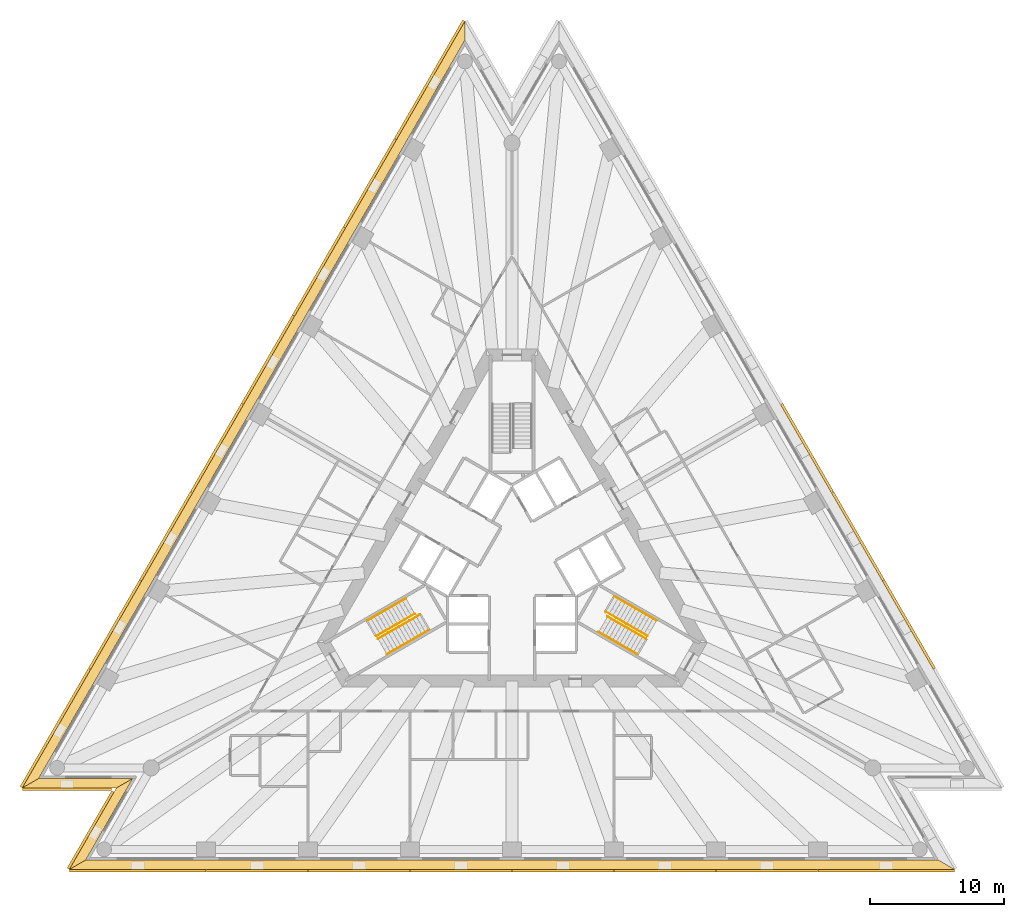
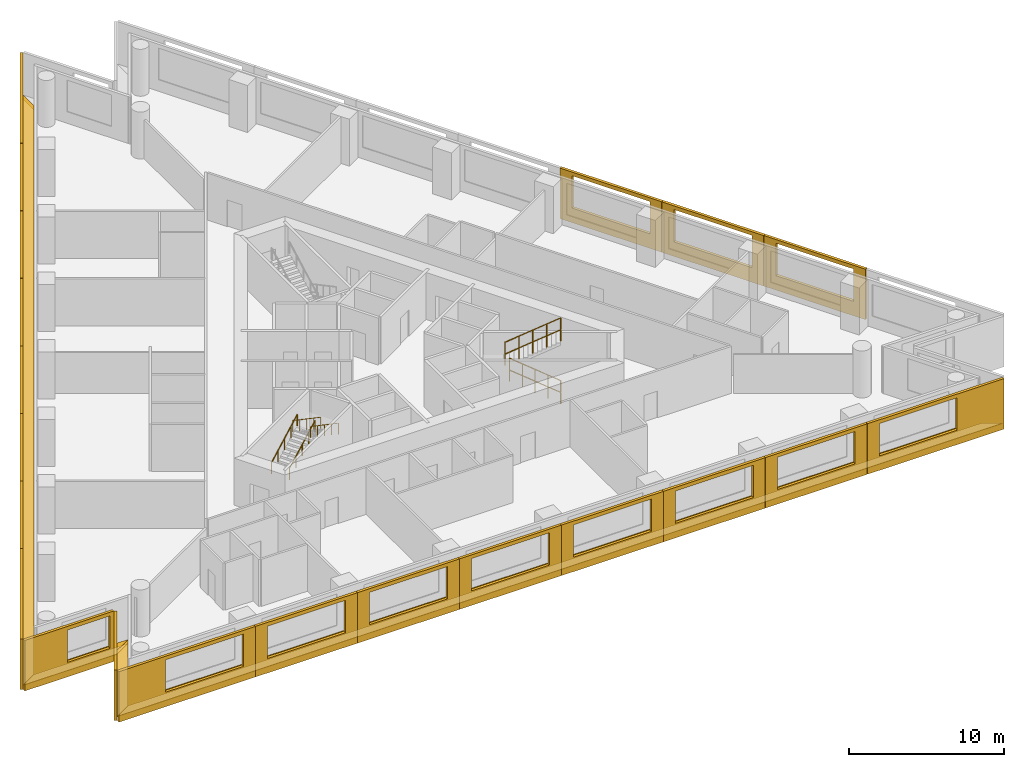
# One storey, part 10 of 11: 25 shading devices, 8 railings, 4 coverings, 2 elements without a shape of their own.
"""IFC4 building model written with IfcOpenShell, lengths in metres."""

from ifc_helpers import new_model, si_unit, direction, frame, origin, origin_2d, place, context, subcontext, project, spatial, polyline, circle, outline, extrude, material, layer, layer_set, layer_usage, type_object, element, aggregate, save


model = new_model("IFC4")

# Units and contexts
model_context = context("Model", 3, precision=1e-05, world=origin(), true_north=direction((0.0, 1.0)))
body_context = subcontext(model_context, "Body", "Model", "MODEL_VIEW")
ifc_project = project(units=[si_unit("LENGTHUNIT", "METRE"), si_unit("AREAUNIT", "SQUARE_METRE"), si_unit("VOLUMEUNIT", "CUBIC_METRE"), si_unit("PLANEANGLEUNIT", "RADIAN"), si_unit("MASSUNIT", "GRAM", prefix="KILO")], contexts=[model_context])

# Site, building, storey
site_placement = place(None, origin())
site = spatial("IfcSite", under=ifc_project, at=site_placement, CompositionType="ELEMENT")
building_placement = place(site_placement, origin())
building = spatial("IfcBuilding", under=site, at=building_placement, Name="Triada Interchange Tower", CompositionType="ELEMENT")
storey_placement = place(building_placement, frame((0.0, 0.0, 43.300048828125)))
storey = spatial("IfcBuildingStorey", under=building, at=storey_placement, Name="L08", CompositionType="ELEMENT", Elevation=43.300048828125)

# Coverings
ifc_material_1 = material(Name="Mineral fire-stop board")
ifc_layer_1 = layer(ifc_material_1, 0.0400390625, Name="Mineral fire-stop board")
ifc_material_2 = material(Name="Intumescent sealant")
ifc_layer_2 = layer(ifc_material_2, 0.010009765625, Name="Intumescent seal")
ifc_layer_set_1 = layer_set([ifc_layer_1, ifc_layer_2], Name="Cavity fire stop")
ifc_layer_usage = layer_usage(ifc_layer_set_1, "AXIS3", "POSITIVE", 0.0)
covering_type = type_object("IfcCoveringType", Name="Cavity fire stop", PredefinedType="INSULATION", material=ifc_layer_set_1)
covering_1_placement = place(storey_placement, origin())
element("IfcCovering", 1, at=covering_1_placement, inside=storey, type_object=covering_type, material=ifc_layer_usage, Name="Cavity fire stop L08 NW", PredefinedType="INSULATION", context=body_context, shape_type="SweptSolid", body=[
    extrude(outline(polyline([(-3.507080078125, 38.72509765625), (-3.507080078125, 40.125), (-36.5029296875, -17.02490234375), (-35.291015625, -16.324951171875), (-3.507080078125, 38.72509765625)])), origin(), (0.0, 0.0, 1.0), 0.050048828125),
])
covering_2_placement = place(storey_placement, origin())
element("IfcCovering", 2, at=covering_2_placement, inside=storey, type_object=covering_type, material=ifc_layer_usage, Name="Cavity fire stop L08 SW-1", PredefinedType="INSULATION", context=body_context, shape_type="SweptSolid", body=[
    extrude(outline(polyline([(-35.291015625, -16.324951171875), (-36.5029296875, -17.02490234375), (-29.488037109375, -17.02490234375), (-28.27587890625, -16.324951171875), (-35.291015625, -16.324951171875)])), origin(), (0.0, 0.0, 1.0), 0.050048828125),
])
covering_3_placement = place(storey_placement, origin())
element("IfcCovering", 3, at=covering_3_placement, inside=storey, type_object=covering_type, material=ifc_layer_usage, Name="Cavity fire stop L08 SW-2", PredefinedType="INSULATION", context=body_context, shape_type="SweptSolid", body=[
    extrude(outline(polyline([(-28.27587890625, -16.324951171875), (-29.488037109375, -17.02490234375), (-32.9951171875, -23.10009765625), (-31.782958984375, -22.39990234375), (-28.27587890625, -16.324951171875)])), origin(), (0.0, 0.0, 1.0), 0.050048828125),
])
covering_4_placement = place(storey_placement, origin())
element("IfcCovering", 4, at=covering_4_placement, inside=storey, type_object=covering_type, material=ifc_layer_usage, Name="Cavity fire stop L08 S", PredefinedType="INSULATION", context=body_context, shape_type="SweptSolid", body=[
    extrude(outline(polyline([(-31.782958984375, -22.39990234375), (-32.9951171875, -23.10009765625), (32.9951171875, -23.10009765625), (31.782958984375, -22.39990234375), (-31.782958984375, -22.39990234375)])), origin(), (0.0, 0.0, 1.0), 0.050048828125),
])

# Shading devices
ifc_material_3 = material(Name="Aluminium louvre", Category="aluminium")
shading_device_type_1 = type_object("IfcShadingDeviceType", Name="Cavity louvre grille", PredefinedType="JALOUSIE", material=ifc_material_3)
shading_device_1_placement = place(storey_placement, frame((0.0, 0.0, 0.050048828125)))
element("IfcShadingDevice", 5, at=shading_device_1_placement, inside=storey, type_object=shading_device_type_1, Name="Cavity louvre grille L08 NW", PredefinedType="JALOUSIE", context=body_context, shape_type="SweptSolid", body=[
    extrude(outline(polyline([(-3.507080078125, 38.72509765625), (-3.507080078125, 40.125), (-36.5029296875, -17.02490234375), (-35.291015625, -16.324951171875), (-3.507080078125, 38.72509765625)])), origin(), (0.0, 0.0, 1.0), 0.2998046875),
])
shading_device_2_placement = place(storey_placement, frame((0.0, 0.0, 0.050048828125)))
element("IfcShadingDevice", 6, at=shading_device_2_placement, inside=storey, type_object=shading_device_type_1, Name="Cavity louvre grille L08 SW-1", PredefinedType="JALOUSIE", context=body_context, shape_type="SweptSolid", body=[
    extrude(outline(polyline([(-35.291015625, -16.324951171875), (-36.5029296875, -17.02490234375), (-29.488037109375, -17.02490234375), (-28.27587890625, -16.324951171875), (-35.291015625, -16.324951171875)])), origin(), (0.0, 0.0, 1.0), 0.2998046875),
])
shading_device_3_placement = place(storey_placement, frame((0.0, 0.0, 0.050048828125)))
element("IfcShadingDevice", 7, at=shading_device_3_placement, inside=storey, type_object=shading_device_type_1, Name="Cavity louvre grille L08 SW-2", PredefinedType="JALOUSIE", context=body_context, shape_type="SweptSolid", body=[
    extrude(outline(polyline([(-28.27587890625, -16.324951171875), (-29.488037109375, -17.02490234375), (-32.9951171875, -23.10009765625), (-31.782958984375, -22.39990234375), (-28.27587890625, -16.324951171875)])), origin(), (0.0, 0.0, 1.0), 0.2998046875),
])
shading_device_4_placement = place(storey_placement, frame((0.0, 0.0, 0.050048828125)))
element("IfcShadingDevice", 8, at=shading_device_4_placement, inside=storey, type_object=shading_device_type_1, Name="Cavity louvre grille L08 S", PredefinedType="JALOUSIE", context=body_context, shape_type="SweptSolid", body=[
    extrude(outline(polyline([(-31.782958984375, -22.39990234375), (-32.9951171875, -23.10009765625), (32.9951171875, -23.10009765625), (31.782958984375, -22.39990234375), (-31.782958984375, -22.39990234375)])), origin(), (0.0, 0.0, 1.0), 0.2998046875),
])
ifc_material_4 = material(Name="Concrete C50/60 precast", Category="concrete")
ifc_layer_3 = layer(ifc_material_4, 0.02001953125, Name="Exposed aggregate face")
ifc_layer_4 = layer(ifc_material_4, 0.179931640625, Name="Precast concrete screen")
ifc_layer_set_2 = layer_set([ifc_layer_3, ifc_layer_4], Name="Outer skin screen panel 3980")
shading_device_type_2 = type_object("IfcShadingDeviceType", Name="Outer skin screen panel 3980", PredefinedType="SHUTTER", material=ifc_layer_set_2)
shading_device_5_placement = place(storey_placement, frame((-3.511962890625, 40.115966796875, -0.2900390625), z_axis=(0.0, 0.0, 1.0), x_axis=(-0.500026996568, -0.866009816748, 0.0)))
element("IfcShadingDevice", 9, at=shading_device_5_placement, inside=storey, type_object=shading_device_type_2, Name="Outer skin screen panel L08 01", PredefinedType="SHUTTER", context=body_context, shape_type="SweptSolid", body=[
    extrude(outline(polyline([(0.0, 0.0), (10.177734375, 0.0), (10.177734375, 3.97998046875), (0.0, 3.97998046875), (0.0, 0.0)]), holes=[polyline([(3.487548828125, 1.139892578125), (3.487548828125, 3.68994140625), (9.28759765625, 3.68994140625), (9.28759765625, 1.139892578125), (3.487548828125, 1.139892578125)])]), frame((0.0, 0.0, 0.0), z_axis=(0.0, -1.0, 0.0), x_axis=(1.0, 0.0, 0.0)), (0.0, 0.0, 1.0), 0.199951171875),
])
shading_device_6_placement = place(storey_placement, frame((-8.611083984375, 31.284912109375, -0.2900390625), z_axis=(0.0, 0.0, 1.0), x_axis=(-0.500008712905, -0.866020373328, 0.0)))
element("IfcShadingDevice", 10, at=shading_device_6_placement, inside=storey, type_object=shading_device_type_2, Name="Outer skin screen panel L08 02", PredefinedType="SHUTTER", context=body_context, shape_type="SweptSolid", body=[
    extrude(outline(polyline([(0.0, 0.0), (7.579345703125, 0.0), (7.579345703125, 3.97998046875), (0.0, 3.97998046875), (0.0, 0.0)]), holes=[polyline([(0.89013671875, 1.139892578125), (0.89013671875, 3.68994140625), (6.690185546875, 3.68994140625), (6.690185546875, 1.139892578125), (0.89013671875, 1.139892578125)])]), frame((0.0, 0.0, 0.0), z_axis=(0.0, -1.0, 0.0), x_axis=(1.0, 0.0, 0.0)), (0.0, 0.0, 1.0), 0.199951171875),
])
shading_device_7_placement = place(storey_placement, frame((-12.410888671875, 24.7041015625, -0.2900390625), z_axis=(0.0, 0.0, 1.0), x_axis=(-0.499922287265, -0.866070266604, 0.0)))
element("IfcShadingDevice", 11, at=shading_device_7_placement, inside=storey, type_object=shading_device_type_2, Name="Outer skin screen panel L08 03", PredefinedType="SHUTTER", context=body_context, shape_type="SweptSolid", body=[
    extrude(outline(polyline([(0.0, 0.0), (7.579345703125, 0.0), (7.579345703125, 3.97998046875), (0.0, 3.97998046875), (0.0, 0.0)]), holes=[polyline([(0.8896484375, 1.139892578125), (0.8896484375, 3.68994140625), (6.689697265625, 3.68994140625), (6.689697265625, 1.139892578125), (0.8896484375, 1.139892578125)])]), frame((0.0, 0.0, 0.0), z_axis=(0.0, -1.0, 0.0), x_axis=(1.0, 0.0, 0.0)), (0.0, 0.0, 1.0), 0.199951171875),
])
shading_device_8_placement = place(storey_placement, frame((-16.2099609375, 18.123046875, -0.2900390625), z_axis=(0.0, 0.0, 1.0), x_axis=(-0.500032870163, -0.866006425355, 0.0)))
element("IfcShadingDevice", 12, at=shading_device_8_placement, inside=storey, type_object=shading_device_type_2, Name="Outer skin screen panel L08 04", PredefinedType="SHUTTER", context=body_context, shape_type="SweptSolid", body=[
    extrude(outline(polyline([(0.0, 0.0), (7.57958984375, 0.0), (7.57958984375, 3.97998046875), (0.0, 3.97998046875), (0.0, 0.0)]), holes=[polyline([(0.889404296875, 1.139892578125), (0.889404296875, 3.68994140625), (6.689208984375, 3.68994140625), (6.689208984375, 1.139892578125), (0.889404296875, 1.139892578125)])]), frame((0.0, 0.0, 0.0), z_axis=(0.0, -1.0, 0.0), x_axis=(1.0, 0.0, 0.0)), (0.0, 0.0, 1.0), 0.199951171875),
])
shading_device_9_placement = place(storey_placement, frame((-20.010009765625, 11.541015625, -0.2900390625), z_axis=(0.0, 0.0, 1.0), x_axis=(-0.500032870163, -0.866006425355, 0.0)))
element("IfcShadingDevice", 13, at=shading_device_9_placement, inside=storey, type_object=shading_device_type_2, Name="Outer skin screen panel L08 05", PredefinedType="SHUTTER", context=body_context, shape_type="SweptSolid", body=[
    extrude(outline(polyline([(0.0, 0.0), (7.57958984375, 0.0), (7.57958984375, 3.97998046875), (0.0, 3.97998046875), (0.0, 0.0)]), holes=[polyline([(0.889892578125, 1.139892578125), (0.889892578125, 3.68994140625), (6.68994140625, 3.68994140625), (6.68994140625, 1.139892578125), (0.889892578125, 1.139892578125)])]), frame((0.0, 0.0, 0.0), z_axis=(0.0, -1.0, 0.0), x_axis=(1.0, 0.0, 0.0)), (0.0, 0.0, 1.0), 0.199951171875),
])
shading_device_10_placement = place(storey_placement, frame((-23.81005859375, 4.9599609375, -0.2900390625), z_axis=(0.0, 0.0, 1.0), x_axis=(-0.500032870163, -0.866006425355, 0.0)))
element("IfcShadingDevice", 14, at=shading_device_10_placement, inside=storey, type_object=shading_device_type_2, Name="Outer skin screen panel L08 06", PredefinedType="SHUTTER", context=body_context, shape_type="SweptSolid", body=[
    extrude(outline(polyline([(0.0, 0.0), (7.57958984375, 0.0), (7.57958984375, 3.97998046875), (0.0, 3.97998046875), (0.0, 0.0)]), holes=[polyline([(0.889404296875, 1.139892578125), (0.889404296875, 3.68994140625), (6.689453125, 3.68994140625), (6.689453125, 1.139892578125), (0.889404296875, 1.139892578125)])]), frame((0.0, 0.0, 0.0), z_axis=(0.0, -1.0, 0.0), x_axis=(1.0, 0.0, 0.0)), (0.0, 0.0, 1.0), 0.199951171875),
])
shading_device_11_placement = place(storey_placement, frame((-27.610107421875, -1.62109375, -0.2900390625), z_axis=(0.0, 0.0, 1.0), x_axis=(-0.4999120722, -0.866076162972, 0.0)))
element("IfcShadingDevice", 15, at=shading_device_11_placement, inside=storey, type_object=shading_device_type_2, Name="Outer skin screen panel L08 07", PredefinedType="SHUTTER", context=body_context, shape_type="SweptSolid", body=[
    extrude(outline(polyline([(0.0, 0.0), (7.578857421875, 0.0), (7.578857421875, 3.97998046875), (0.0, 3.97998046875), (0.0, 0.0)]), holes=[polyline([(0.89013671875, 1.139892578125), (0.89013671875, 3.68994140625), (6.690185546875, 3.68994140625), (6.690185546875, 1.139892578125), (0.89013671875, 1.139892578125)])]), frame((0.0, 0.0, 0.0), z_axis=(0.0, -1.0, 0.0), x_axis=(1.0, 0.0, 0.0)), (0.0, 0.0, 1.0), 0.199951171875),
])
shading_device_12_placement = place(storey_placement, frame((-31.408935546875, -8.201904296875, -0.2900390625), z_axis=(0.0, 0.0, 1.0), x_axis=(-0.500016609325, -0.866015814174, 0.0)))
element("IfcShadingDevice", 16, at=shading_device_12_placement, inside=storey, type_object=shading_device_type_2, Name="Outer skin screen panel L08 08", PredefinedType="SHUTTER", context=body_context, shape_type="SweptSolid", body=[
    extrude(outline(polyline([(0.0, 0.0), (10.177978515625, 0.0), (10.177978515625, 3.97998046875), (0.0, 3.97998046875), (0.0, 0.0)]), holes=[polyline([(0.8896484375, 1.139892578125), (0.8896484375, 3.68994140625), (6.689697265625, 3.68994140625), (6.689697265625, 1.139892578125), (0.8896484375, 1.139892578125)])]), frame((0.0, 0.0, 0.0), z_axis=(0.0, -1.0, 0.0), x_axis=(1.0, 0.0, 0.0)), (0.0, 0.0, 1.0), 0.199951171875),
])
shading_device_13_placement = place(storey_placement, frame((-36.492919921875, -17.02490234375, -0.2900390625), z_axis=(0.0, 0.0, 1.0), x_axis=(1.0, 0.0, 0.0)))
element("IfcShadingDevice", 17, at=shading_device_13_placement, inside=storey, type_object=shading_device_type_2, Name="Outer skin screen panel L08 09", PredefinedType="SHUTTER", context=body_context, shape_type="SweptSolid", body=[
    extrude(outline(polyline([(0.0, 0.0), (6.64794921875, 0.0), (6.64794921875, 3.97998046875), (0.0, 3.97998046875), (0.0, 0.0)]), holes=[polyline([(3.175048828125, 1.139892578125), (3.175048828125, 3.68994140625), (6.347900390625, 3.68994140625), (6.347900390625, 1.139892578125), (3.175048828125, 1.139892578125)])]), frame((0.0, 0.0, 0.0), z_axis=(0.0, -1.0, 0.0), x_axis=(1.0, 0.0, 0.0)), (0.0, 0.0, 1.0), 0.199951171875),
])
shading_device_14_placement = place(storey_placement, frame((-29.666015625, -17.333984375, -0.2900390625), z_axis=(0.0, 0.0, 1.0), x_axis=(-0.50001386285, -0.866017399916, 0.0)))
element("IfcShadingDevice", 18, at=shading_device_14_placement, inside=storey, type_object=shading_device_type_2, Name="Outer skin screen panel L08 10", PredefinedType="SHUTTER", context=body_context, shape_type="SweptSolid", body=[
    extrude(outline(polyline([(0.0, 0.0), (6.647705078125, 0.0), (6.647705078125, 3.97998046875), (0.0, 3.97998046875), (0.0, 0.0)]), holes=[polyline([(0.300048828125, 1.139892578125), (0.300048828125, 3.68994140625), (2.9580078125, 3.68994140625), (2.9580078125, 1.139892578125), (0.300048828125, 1.139892578125)])]), frame((0.0, 0.0, 0.0), z_axis=(0.0, -1.0, 0.0), x_axis=(1.0, 0.0, 0.0)), (0.0, 0.0, 1.0), 0.199951171875),
])
shading_device_15_placement = place(storey_placement, frame((-32.985107421875, -23.10009765625, -0.2900390625), z_axis=(0.0, 0.0, 1.0), x_axis=(1.0, 0.0, 0.0)))
element("IfcShadingDevice", 19, at=shading_device_15_placement, inside=storey, type_object=shading_device_type_2, Name="Outer skin screen panel L08 11", PredefinedType="SHUTTER", context=body_context, shape_type="SweptSolid", body=[
    extrude(outline(polyline([(0.0, 0.0), (10.177001953125, 0.0), (10.177001953125, 3.97998046875), (0.0, 3.97998046875), (0.0, 0.0)]), holes=[polyline([(3.488037109375, 1.139892578125), (3.488037109375, 3.68994140625), (9.2880859375, 3.68994140625), (9.2880859375, 1.139892578125), (3.488037109375, 1.139892578125)])]), frame((0.0, 0.0, 0.0), z_axis=(0.0, -1.0, 0.0), x_axis=(1.0, 0.0, 0.0)), (0.0, 0.0, 1.0), 0.199951171875),
])
shading_device_16_placement = place(storey_placement, frame((-22.7880859375, -23.10009765625, -0.2900390625), z_axis=(0.0, 0.0, 1.0), x_axis=(1.0, 0.0, 0.0)))
element("IfcShadingDevice", 20, at=shading_device_16_placement, inside=storey, type_object=shading_device_type_2, Name="Outer skin screen panel L08 12", PredefinedType="SHUTTER", context=body_context, shape_type="SweptSolid", body=[
    extrude(outline(polyline([(0.0, 0.0), (7.580078125, 0.0), (7.580078125, 3.97998046875), (0.0, 3.97998046875), (0.0, 0.0)]), holes=[polyline([(0.889892578125, 1.139892578125), (0.889892578125, 3.68994140625), (6.689697265625, 3.68994140625), (6.689697265625, 1.139892578125), (0.889892578125, 1.139892578125)])]), frame((0.0, 0.0, 0.0), z_axis=(0.0, -1.0, 0.0), x_axis=(1.0, 0.0, 0.0)), (0.0, 0.0, 1.0), 0.199951171875),
])
shading_device_17_placement = place(storey_placement, frame((-15.18798828125, -23.10009765625, -0.2900390625), z_axis=(0.0, 0.0, 1.0), x_axis=(1.0, 0.0, 0.0)))
element("IfcShadingDevice", 21, at=shading_device_17_placement, inside=storey, type_object=shading_device_type_2, Name="Outer skin screen panel L08 13", PredefinedType="SHUTTER", context=body_context, shape_type="SweptSolid", body=[
    extrude(outline(polyline([(0.0, 0.0), (7.5791015625, 0.0), (7.5791015625, 3.97998046875), (0.0, 3.97998046875), (0.0, 0.0)]), holes=[polyline([(0.889404296875, 1.139892578125), (0.889404296875, 3.68994140625), (6.689453125, 3.68994140625), (6.689453125, 1.139892578125), (0.889404296875, 1.139892578125)])]), frame((0.0, 0.0, 0.0), z_axis=(0.0, -1.0, 0.0), x_axis=(1.0, 0.0, 0.0)), (0.0, 0.0, 1.0), 0.199951171875),
])
shading_device_18_placement = place(storey_placement, frame((-7.589111328125, -23.10009765625, -0.2900390625), z_axis=(0.0, 0.0, 1.0), x_axis=(1.0, 0.0, 0.0)))
element("IfcShadingDevice", 22, at=shading_device_18_placement, inside=storey, type_object=shading_device_type_2, Name="Outer skin screen panel L08 14", PredefinedType="SHUTTER", context=body_context, shape_type="SweptSolid", body=[
    extrude(outline(polyline([(0.0, 0.0), (7.5791015625, 0.0), (7.5791015625, 3.97998046875), (0.0, 3.97998046875), (0.0, 0.0)]), holes=[polyline([(0.88916015625, 1.139892578125), (0.88916015625, 3.68994140625), (6.689208984375, 3.68994140625), (6.689208984375, 1.139892578125), (0.88916015625, 1.139892578125)])]), frame((0.0, 0.0, 0.0), z_axis=(0.0, -1.0, 0.0), x_axis=(1.0, 0.0, 0.0)), (0.0, 0.0, 1.0), 0.199951171875),
])
shading_device_19_placement = place(storey_placement, frame((0.010009765625, -23.10009765625, -0.2900390625), z_axis=(0.0, 0.0, 1.0), x_axis=(1.0, 0.0, 0.0)))
element("IfcShadingDevice", 23, at=shading_device_19_placement, inside=storey, type_object=shading_device_type_2, Name="Outer skin screen panel L08 15", PredefinedType="SHUTTER", context=body_context, shape_type="SweptSolid", body=[
    extrude(outline(polyline([(0.0, 0.0), (7.5791015625, 0.0), (7.5791015625, 3.97998046875), (0.0, 3.97998046875), (0.0, 0.0)]), holes=[polyline([(0.889892578125, 1.139892578125), (0.889892578125, 3.68994140625), (6.68994140625, 3.68994140625), (6.68994140625, 1.139892578125), (0.889892578125, 1.139892578125)])]), frame((0.0, 0.0, 0.0), z_axis=(0.0, -1.0, 0.0), x_axis=(1.0, 0.0, 0.0)), (0.0, 0.0, 1.0), 0.199951171875),
])
shading_device_20_placement = place(storey_placement, frame((7.60888671875, -23.10009765625, -0.2900390625), z_axis=(0.0, 0.0, 1.0), x_axis=(1.0, 0.0, 0.0)))
element("IfcShadingDevice", 24, at=shading_device_20_placement, inside=storey, type_object=shading_device_type_2, Name="Outer skin screen panel L08 16", PredefinedType="SHUTTER", context=body_context, shape_type="SweptSolid", body=[
    extrude(outline(polyline([(0.0, 0.0), (7.580078125, 0.0), (7.580078125, 3.97998046875), (0.0, 3.97998046875), (0.0, 0.0)]), holes=[polyline([(0.8896484375, 1.139892578125), (0.8896484375, 3.68994140625), (6.689697265625, 3.68994140625), (6.689697265625, 1.139892578125), (0.8896484375, 1.139892578125)])]), frame((0.0, 0.0, 0.0), z_axis=(0.0, -1.0, 0.0), x_axis=(1.0, 0.0, 0.0)), (0.0, 0.0, 1.0), 0.199951171875),
])
shading_device_21_placement = place(storey_placement, frame((15.2080078125, -23.10009765625, -0.2900390625), z_axis=(0.0, 0.0, 1.0), x_axis=(1.0, 0.0, 0.0)))
element("IfcShadingDevice", 25, at=shading_device_21_placement, inside=storey, type_object=shading_device_type_2, Name="Outer skin screen panel L08 17", PredefinedType="SHUTTER", context=body_context, shape_type="SweptSolid", body=[
    extrude(outline(polyline([(0.0, 0.0), (7.580078125, 0.0), (7.580078125, 3.97998046875), (0.0, 3.97998046875), (0.0, 0.0)]), holes=[polyline([(0.889404296875, 1.139892578125), (0.889404296875, 3.68994140625), (6.689453125, 3.68994140625), (6.689453125, 1.139892578125), (0.889404296875, 1.139892578125)])]), frame((0.0, 0.0, 0.0), z_axis=(0.0, -1.0, 0.0), x_axis=(1.0, 0.0, 0.0)), (0.0, 0.0, 1.0), 0.199951171875),
])
shading_device_22_placement = place(storey_placement, frame((22.80810546875, -23.10009765625, -0.2900390625), z_axis=(0.0, 0.0, 1.0), x_axis=(1.0, 0.0, 0.0)))
element("IfcShadingDevice", 26, at=shading_device_22_placement, inside=storey, type_object=shading_device_type_2, Name="Outer skin screen panel L08 18", PredefinedType="SHUTTER", context=body_context, shape_type="SweptSolid", body=[
    extrude(outline(polyline([(0.0, 0.0), (10.177001953125, 0.0), (10.177001953125, 3.97998046875), (0.0, 3.97998046875), (0.0, 0.0)]), holes=[polyline([(0.889404296875, 1.139892578125), (0.889404296875, 3.68994140625), (6.689208984375, 3.68994140625), (6.689208984375, 1.139892578125), (0.889404296875, 1.139892578125)])]), frame((0.0, 0.0, 0.0), z_axis=(0.0, -1.0, 0.0), x_axis=(1.0, 0.0, 0.0)), (0.0, 0.0, 1.0), 0.199951171875),
])
shading_device_23_placement = place(storey_placement, frame((31.39892578125, -8.18505859375, -0.2900390625), z_axis=(0.0, 0.0, 1.0), x_axis=(-0.4999120722, 0.866076162972, 0.0)))
element("IfcShadingDevice", 27, at=shading_device_23_placement, inside=storey, type_object=shading_device_type_2, Name="Outer skin screen panel L08 22", PredefinedType="SHUTTER", context=body_context, shape_type="SweptSolid", body=[
    extrude(outline(polyline([(0.0, 0.0), (7.578857421875, 0.0), (7.578857421875, 3.97998046875), (0.0, 3.97998046875), (0.0, 0.0)]), holes=[polyline([(0.889892578125, 1.139892578125), (0.889892578125, 3.68994140625), (6.689697265625, 3.68994140625), (6.689697265625, 1.139892578125), (0.889892578125, 1.139892578125)])]), frame((0.0, 0.0, 0.0), z_axis=(0.0, -1.0, 0.0), x_axis=(1.0, 0.0, 0.0)), (0.0, 0.0, 1.0), 0.199951171875),
])
shading_device_24_placement = place(storey_placement, frame((27.60009765625, -1.60400390625, -0.2900390625), z_axis=(0.0, 0.0, 1.0), x_axis=(-0.500032870163, 0.866006425355, 0.0)))
element("IfcShadingDevice", 28, at=shading_device_24_placement, inside=storey, type_object=shading_device_type_2, Name="Outer skin screen panel L08 23", PredefinedType="SHUTTER", context=body_context, shape_type="SweptSolid", body=[
    extrude(outline(polyline([(0.0, 0.0), (7.57958984375, 0.0), (7.57958984375, 3.97998046875), (0.0, 3.97998046875), (0.0, 0.0)]), holes=[polyline([(0.889404296875, 1.139892578125), (0.889404296875, 3.68994140625), (6.689453125, 3.68994140625), (6.689453125, 1.139892578125), (0.889404296875, 1.139892578125)])]), frame((0.0, 0.0, 0.0), z_axis=(0.0, -1.0, 0.0), x_axis=(1.0, 0.0, 0.0)), (0.0, 0.0, 1.0), 0.199951171875),
])
shading_device_25_placement = place(storey_placement, frame((23.800048828125, 4.97705078125, -0.2900390625), z_axis=(0.0, 0.0, 1.0), x_axis=(-0.500032870163, 0.866006425355, 0.0)))
element("IfcShadingDevice", 29, at=shading_device_25_placement, inside=storey, type_object=shading_device_type_2, Name="Outer skin screen panel L08 24", PredefinedType="SHUTTER", context=body_context, shape_type="SweptSolid", body=[
    extrude(outline(polyline([(0.0, 0.0), (7.57958984375, 0.0), (7.57958984375, 3.97998046875), (0.0, 3.97998046875), (0.0, 0.0)]), holes=[polyline([(0.889892578125, 1.139892578125), (0.889892578125, 3.68994140625), (6.68994140625, 3.68994140625), (6.68994140625, 1.139892578125), (0.889892578125, 1.139892578125)])]), frame((0.0, 0.0, 0.0), z_axis=(0.0, -1.0, 0.0), x_axis=(1.0, 0.0, 0.0)), (0.0, 0.0, 1.0), 0.199951171875),
])

# Stair, railings
ifc_material_5 = material(Name="Concrete C35/45", Category="concrete")
stair_type = type_object("IfcStairType", Name="HALF TURN STAIR 1400", PredefinedType="HALF_TURN_STAIR", material=ifc_material_5)
stair_1_placement = place(storey_placement, origin())
stair_1 = element("IfcStair", 30, at=stair_1_placement, inside=storey, type_object=stair_type, Name="Exit stair S06-2", PredefinedType="HALF_TURN_STAIR")
ifc_material_6 = material(Name="Stainless steel 1.4301", Category="steel")
railing_type = type_object("IfcRailingType", Name="STAIR HANDRAIL 900", PredefinedType="HANDRAIL", material=ifc_material_6)
railing_1_placement = place(storey_placement, frame((-10.77099609375, -4.5439453125, 0.159912109375)))
railing_1 = element("IfcRailing", 31, at=railing_1_placement, type_object=railing_type, Name="Handrail S06-2 1W", PredefinedType="HANDRAIL", context=body_context, shape_type="SweptSolid", body=[
    extrude(circle(Radius=0.02392578125, at=origin_2d()), frame((0.0, 0.0, 0.8759765625), z_axis=(0.764150854273, 0.441152526326, 0.470593158077), x_axis=(-0.499974350878, 0.866040211805, 0.0)), (0.0, 0.0, 1.0), 3.739990234375),
    extrude(circle(Radius=0.02099609375, at=origin_2d()), origin(), (0.0, 0.0, 1.0), 0.851806640625),
    extrude(circle(Radius=0.02099609375, at=origin_2d()), frame((0.71435546875, 0.41259765625, 0.43994140625)), (0.0, 0.0, 1.0), 0.851806640625),
    extrude(circle(Radius=0.02099609375, at=origin_2d()), frame((1.428955078125, 0.824951171875, 0.8798828125)), (0.0, 0.0, 1.0), 0.851806640625),
    extrude(circle(Radius=0.02099609375, at=origin_2d()), frame((2.1435546875, 1.2373046875, 1.320068359375)), (0.0, 0.0, 1.0), 0.851806640625),
    extrude(circle(Radius=0.02099609375, at=origin_2d()), frame((2.85791015625, 1.64990234375, 1.760009765625)), (0.0, 0.0, 1.0), 0.851806640625),
])
railing_2_placement = place(storey_placement, frame((-10.10595703125, -5.696044921875, 0.159912109375)))
railing_2 = element("IfcRailing", 32, at=railing_2_placement, type_object=railing_type, Name="Handrail S06-2 1C", PredefinedType="HANDRAIL", context=body_context, shape_type="SweptSolid", body=[
    extrude(circle(Radius=0.02392578125, at=origin_2d()), frame((0.0, 0.0, 0.8759765625), z_axis=(0.76412884773, 0.441205098395, 0.470579605611), x_axis=(-0.50002983664, 0.866008176907, 0.0)), (0.0, 0.0, 1.0), 3.739990234375),
    extrude(circle(Radius=0.02099609375, at=origin_2d()), origin(), (0.0, 0.0, 1.0), 0.851806640625),
    extrude(circle(Radius=0.02099609375, at=origin_2d()), frame((0.71435546875, 0.41259765625, 0.43994140625)), (0.0, 0.0, 1.0), 0.851806640625),
    extrude(circle(Radius=0.02099609375, at=origin_2d()), frame((1.428955078125, 0.8251953125, 0.8798828125)), (0.0, 0.0, 1.0), 0.851806640625),
    extrude(circle(Radius=0.02099609375, at=origin_2d()), frame((2.1435546875, 1.237548828125, 1.320068359375)), (0.0, 0.0, 1.0), 0.851806640625),
    extrude(circle(Radius=0.02099609375, at=origin_2d()), frame((2.85791015625, 1.650146484375, 1.760009765625)), (0.0, 0.0, 1.0), 0.851806640625),
])
railing_3_placement = place(storey_placement, frame((-6.202880859375, -5.256103515625, 2.079833984375)))
railing_3 = element("IfcRailing", 33, at=railing_3_placement, type_object=railing_type, Name="Handrail S06-2 2W", PredefinedType="HANDRAIL", context=body_context, shape_type="SweptSolid", body=[
    extrude(circle(Radius=0.02392578125, at=origin_2d()), frame((0.0, 0.0, 0.8759765625), z_axis=(-0.764189758314, -0.441090424232, 0.470588196769), x_axis=(0.499902469156, -0.866081705922, 0.0)), (0.0, 0.0, 1.0), 4.080322265625),
    extrude(circle(Radius=0.02099609375, at=origin_2d()), origin(), (0.0, 0.0, 1.0), 0.851806640625),
    extrude(circle(Radius=0.02099609375, at=origin_2d()), frame((-0.779541015625, -0.449951171875, 0.47998046875)), (0.0, 0.0, 1.0), 0.851806640625),
    extrude(circle(Radius=0.02099609375, at=origin_2d()), frame((-1.55908203125, -0.89990234375, 0.9599609375)), (0.0, 0.0, 1.0), 0.851806640625),
    extrude(circle(Radius=0.02099609375, at=origin_2d()), frame((-2.338623046875, -1.349853515625, 1.440185546875)), (0.0, 0.0, 1.0), 0.851806640625),
    extrude(circle(Radius=0.02099609375, at=origin_2d()), frame((-3.1181640625, -1.7998046875, 1.920166015625)), (0.0, 0.0, 1.0), 0.851806640625),
])
railing_4_placement = place(storey_placement, frame((-6.867919921875, -4.10400390625, 2.079833984375)))
railing_4 = element("IfcRailing", 34, at=railing_4_placement, type_object=railing_type, Name="Handrail S06-2 2C", PredefinedType="HANDRAIL", context=body_context, shape_type="SweptSolid", body=[
    extrude(circle(Radius=0.02392578125, at=origin_2d()), frame((0.0, 0.0, 0.8759765625), z_axis=(-0.764169589359, -0.441138614339, 0.470575776723), x_axis=(0.49995333141, -0.866052346231, 0.0)), (0.0, 0.0, 1.0), 4.08056640625),
    extrude(circle(Radius=0.02099609375, at=origin_2d()), origin(), (0.0, 0.0, 1.0), 0.851806640625),
    extrude(circle(Radius=0.02099609375, at=origin_2d()), frame((-0.779541015625, -0.449951171875, 0.47998046875)), (0.0, 0.0, 1.0), 0.851806640625),
    extrude(circle(Radius=0.02099609375, at=origin_2d()), frame((-1.55908203125, -0.89990234375, 0.9599609375)), (0.0, 0.0, 1.0), 0.851806640625),
    extrude(circle(Radius=0.02099609375, at=origin_2d()), frame((-2.338623046875, -1.35009765625, 1.440185546875)), (0.0, 0.0, 1.0), 0.851806640625),
    extrude(circle(Radius=0.02099609375, at=origin_2d()), frame((-3.1181640625, -1.800048828125, 1.920166015625)), (0.0, 0.0, 1.0), 0.851806640625),
])
aggregate(stair_1, [railing_1, railing_2, railing_3, railing_4])

stair_2_placement = place(storey_placement, origin())
stair_2 = element("IfcStair", 35, at=stair_2_placement, inside=storey, type_object=stair_type, Name="Exit stair S06-3", PredefinedType="HALF_TURN_STAIR")
railing_5_placement = place(storey_placement, frame((9.321044921875, -7.055908203125, 0.159912109375)))
railing_5 = element("IfcRailing", 36, at=railing_5_placement, type_object=railing_type, Name="Handrail S06-3 1W", PredefinedType="HANDRAIL", context=body_context, shape_type="SweptSolid", body=[
    extrude(circle(Radius=0.02392578125, at=origin_2d()), frame((0.0, 0.0, 0.8759765625), z_axis=(-0.764178012919, 0.441130521168, 0.470569684388), x_axis=(-0.499942318283, -0.866058703778, 0.0)), (0.0, 0.0, 1.0), 3.740234375),
    extrude(circle(Radius=0.02099609375, at=origin_2d()), origin(), (0.0, 0.0, 1.0), 0.851806640625),
    extrude(circle(Radius=0.02099609375, at=origin_2d()), frame((-0.714599609375, 0.41259765625, 0.43994140625)), (0.0, 0.0, 1.0), 0.851806640625),
    extrude(circle(Radius=0.02099609375, at=origin_2d()), frame((-1.42919921875, 0.824951171875, 0.8798828125)), (0.0, 0.0, 1.0), 0.851806640625),
    extrude(circle(Radius=0.02099609375, at=origin_2d()), frame((-2.1435546875, 1.2373046875, 1.320068359375)), (0.0, 0.0, 1.0), 0.851806640625),
    extrude(circle(Radius=0.02099609375, at=origin_2d()), frame((-2.858154296875, 1.64990234375, 1.760009765625)), (0.0, 0.0, 1.0), 0.851806640625),
])
railing_6_placement = place(storey_placement, frame((9.986083984375, -5.904052734375, 0.159912109375)))
railing_6 = element("IfcRailing", 37, at=railing_6_placement, type_object=railing_type, Name="Handrail S06-3 1C", PredefinedType="HANDRAIL", context=body_context, shape_type="SweptSolid", body=[
    extrude(circle(Radius=0.02392578125, at=origin_2d()), frame((0.0, 0.0, 0.8759765625), z_axis=(-0.764156007789, 0.441183091881, 0.47055613395), x_axis=(-0.49999780286, -0.8660266723, 0.0)), (0.0, 0.0, 1.0), 3.740234375),
    extrude(circle(Radius=0.02099609375, at=origin_2d()), origin(), (0.0, 0.0, 1.0), 0.851806640625),
    extrude(circle(Radius=0.02099609375, at=origin_2d()), frame((-0.714599609375, 0.41259765625, 0.43994140625)), (0.0, 0.0, 1.0), 0.851806640625),
    extrude(circle(Radius=0.02099609375, at=origin_2d()), frame((-1.42919921875, 0.8251953125, 0.8798828125)), (0.0, 0.0, 1.0), 0.851806640625),
    extrude(circle(Radius=0.02099609375, at=origin_2d()), frame((-2.1435546875, 1.237548828125, 1.320068359375)), (0.0, 0.0, 1.0), 0.851806640625),
    extrude(circle(Radius=0.02099609375, at=origin_2d()), frame((-2.858154296875, 1.650146484375, 1.760009765625)), (0.0, 0.0, 1.0), 0.851806640625),
])
railing_7_placement = place(storey_placement, frame((7.653076171875, -2.743896484375, 2.079833984375)))
railing_7 = element("IfcRailing", 38, at=railing_7_placement, type_object=railing_type, Name="Handrail S06-3 2W", PredefinedType="HANDRAIL", context=body_context, shape_type="SweptSolid", body=[
    extrude(circle(Radius=0.02392578125, at=origin_2d()), frame((0.0, 0.0, 0.8759765625), z_axis=(0.76414469501, -0.441158784458, 0.470597292793), x_axis=(0.499982693035, 0.866035395735, 0.0)), (0.0, 0.0, 1.0), 4.080322265625),
    extrude(circle(Radius=0.02099609375, at=origin_2d()), origin(), (0.0, 0.0, 1.0), 0.851806640625),
    extrude(circle(Radius=0.02099609375, at=origin_2d()), frame((0.779541015625, -0.449951171875, 0.47998046875)), (0.0, 0.0, 1.0), 0.851806640625),
    extrude(circle(Radius=0.02099609375, at=origin_2d()), frame((1.55908203125, -0.89990234375, 0.9599609375)), (0.0, 0.0, 1.0), 0.851806640625),
    extrude(circle(Radius=0.02099609375, at=origin_2d()), frame((2.33837890625, -1.35009765625, 1.440185546875)), (0.0, 0.0, 1.0), 0.851806640625),
    extrude(circle(Radius=0.02099609375, at=origin_2d()), frame((3.117919921875, -1.800048828125, 1.920166015625)), (0.0, 0.0, 1.0), 0.851806640625),
])
railing_8_placement = place(storey_placement, frame((6.988037109375, -3.89599609375, 2.079833984375)))
railing_8 = element("IfcRailing", 39, at=railing_8_placement, type_object=railing_type, Name="Handrail S06-3 2C", PredefinedType="HANDRAIL", context=body_context, shape_type="SweptSolid", body=[
    extrude(circle(Radius=0.02392578125, at=origin_2d()), frame((0.0, 0.0, 0.8759765625), z_axis=(0.76414469501, -0.441158784458, 0.470597292793), x_axis=(0.499982693035, 0.866035395735, 0.0)), (0.0, 0.0, 1.0), 4.080322265625),
    extrude(circle(Radius=0.02099609375, at=origin_2d()), origin(), (0.0, 0.0, 1.0), 0.851806640625),
    extrude(circle(Radius=0.02099609375, at=origin_2d()), frame((0.779541015625, -0.449951171875, 0.47998046875)), (0.0, 0.0, 1.0), 0.851806640625),
    extrude(circle(Radius=0.02099609375, at=origin_2d()), frame((1.55908203125, -0.89990234375, 0.9599609375)), (0.0, 0.0, 1.0), 0.851806640625),
    extrude(circle(Radius=0.02099609375, at=origin_2d()), frame((2.33837890625, -1.35009765625, 1.440185546875)), (0.0, 0.0, 1.0), 0.851806640625),
    extrude(circle(Radius=0.02099609375, at=origin_2d()), frame((3.117919921875, -1.800048828125, 1.920166015625)), (0.0, 0.0, 1.0), 0.851806640625),
])
aggregate(stair_2, [railing_5, railing_6, railing_7, railing_8])

save(model, "model.ifc")
